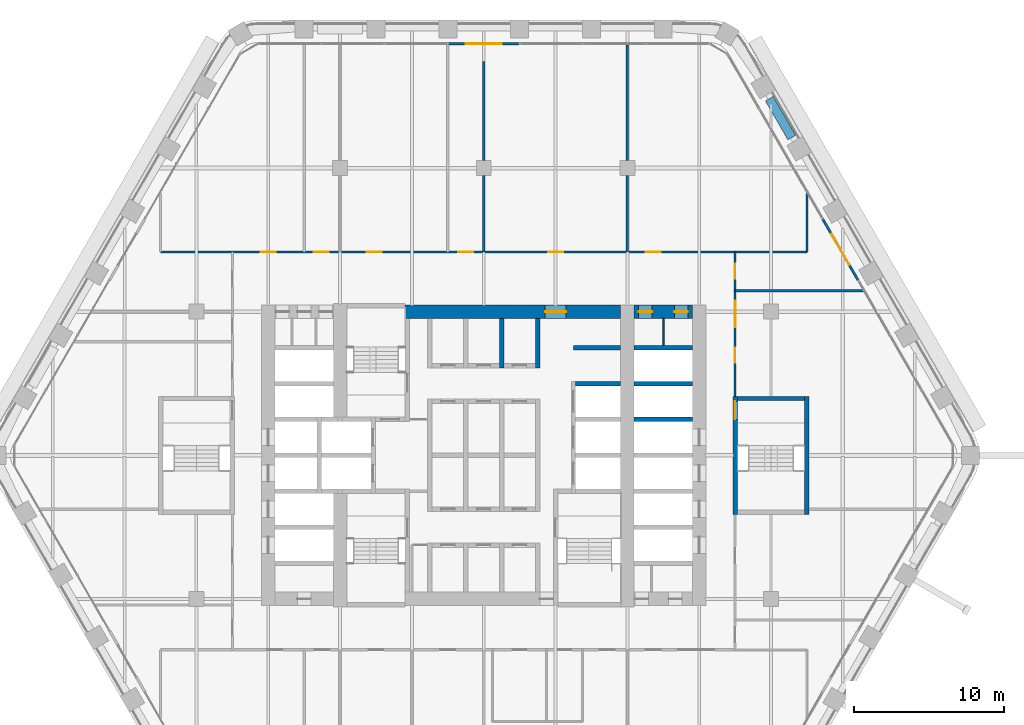
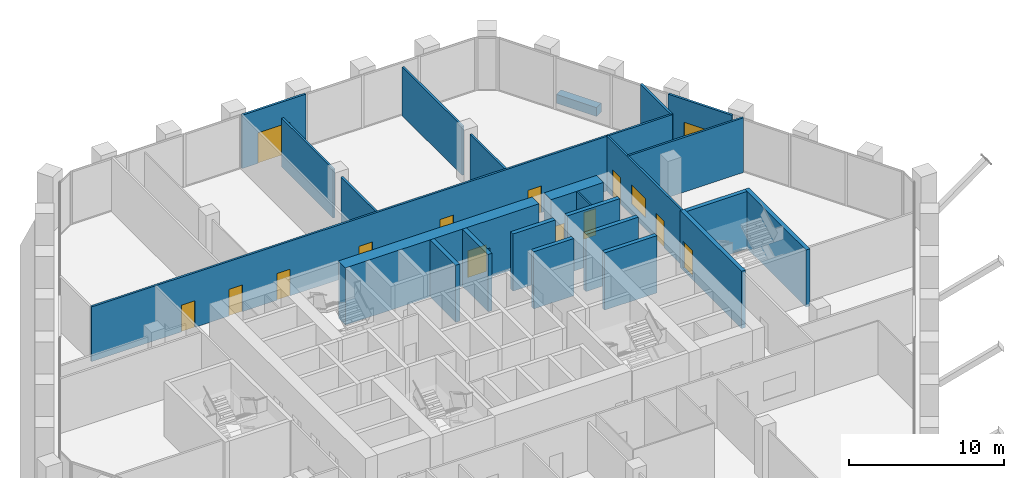
# One storey, part 17 of 24: 24 walls, 14 doors, 1 window, 15 openings.
"""IFC4 building model written with IfcOpenShell, lengths in metres."""

from ifc_helpers import new_model, si_unit, direction, frame, frame_2d, origin, place, context, subcontext, project, spatial, rectangle, extrude, material, layer, layer_set, type_object, element, fill, save


model = new_model("IFC4")

# Units and contexts
model_context = context("Model", 3, precision=1e-05, world=origin(), true_north=direction((0.0, 1.0)))
body_context = subcontext(model_context, "Body", "Model", "MODEL_VIEW")
ifc_project = project(units=[si_unit("LENGTHUNIT", "METRE"), si_unit("AREAUNIT", "SQUARE_METRE"), si_unit("VOLUMEUNIT", "CUBIC_METRE"), si_unit("PLANEANGLEUNIT", "RADIAN"), si_unit("MASSUNIT", "GRAM", prefix="KILO")], contexts=[model_context])

# Site, building, storey
site_placement = place(None, origin())
site = spatial("IfcSite", under=ifc_project, at=site_placement, CompositionType="ELEMENT")
building_placement = place(site_placement, origin())
building = spatial("IfcBuilding", under=site, at=building_placement, Name="Kolab Exchange Tower", CompositionType="ELEMENT")
storey_placement = place(building_placement, frame((0.0, 0.0, 86.89990234375)))
storey = spatial("IfcBuildingStorey", under=building, at=storey_placement, Name="L16", CompositionType="ELEMENT", Elevation=86.89990234375)

# Wall, opening, door
ifc_material_1 = material(Name="Concrete C70/85", Category="concrete")
ifc_layer_1 = layer(ifc_material_1, 0.89990234375)
ifc_layer_set_1 = layer_set([ifc_layer_1], Name="Concrete C70/85")
wall_type_1 = type_object("IfcWallType", Name="CORE WALL 900 C70/85", PredefinedType="SHEAR", material=ifc_layer_set_1)
wall_1_placement = place(storey_placement, frame((-5.25, 9.60009765625, -0.199951171875), z_axis=(0.0, 0.0, 1.0), x_axis=(1.0, 0.0, 0.0)))
wall_1 = element("IfcWall", 1, at=wall_1_placement, inside=storey, type_object=wall_type_1, Name="wall/L16/core/052", PredefinedType="SHEAR", context=body_context, shape_type="SweptSolid", body=[
    extrude(rectangle(XDim=14.39990234375, YDim=0.89990234375, at=frame_2d((7.199951171875, 0.0))), origin(), (0.0, 0.0, 1.0), 4.5),
])
opening_1_placement = place(wall_1_placement, frame((9.35009765625, 0.0, 0.199951171875)))
opening_1 = element("IfcOpeningElement", 2, at=opening_1_placement, cuts=wall_1, Name="Opening D5-008", PredefinedType="OPENING", context=body_context, shape_type="SweptSolid", body=[
    extrude(rectangle(XDim=1.39990234375, YDim=2.10009765625, at=frame_2d((0.699951171875, 1.050048828125))), frame((0.0, 0.4599609375, 0.0), z_axis=(0.0, -1.0, 0.0), x_axis=(1.0, 0.0, 0.0)), (0.0, 0.0, 1.0), 0.919921875),
])
ifc_material_2 = material(Name="Steel S235", Category="steel")
door_type_1 = type_object("IfcDoorType", Name="CORE DOOR 1400 EI 120", OperationType="DOUBLE_DOOR_SINGLE_SWING", PredefinedType="DOOR", material=ifc_material_2)
door_1_placement = place(opening_1_placement, frame((1.39990234375, 0.0, 0.0), z_axis=(0.0, 0.0, 1.0), x_axis=(-1.0, 0.0, 0.0)))
door_1 = element("IfcDoor", 3, at=door_1_placement, inside=storey, type_object=door_type_1, Name="Core lobby door", OperationType="SINGLE_SWING_LEFT", OverallHeight=2.10009765625, OverallWidth=1.39990234375, PredefinedType="DOOR", context=body_context, shape_type="SweptSolid", body=[
    extrude(rectangle(XDim=1.39990234375, YDim=2.10009765625, at=frame_2d((0.699951171875, 1.050048828125))), frame((0.0, 0.02490234375, 0.0), z_axis=(0.0, -1.0, 0.0), x_axis=(1.0, 0.0, 0.0)), (0.0, 0.0, 1.0), 0.050048828125),
])
fill(opening_1, door_1)

# Wall, openings, doors
wall_2_placement = place(storey_placement, frame((10.050048828125, 9.60009765625, -0.199951171875), z_axis=(0.0, 0.0, 1.0), x_axis=(1.0, 0.0, 0.0)))
wall_2 = element("IfcWall", 4, at=wall_2_placement, inside=storey, type_object=wall_type_1, Name="wall/L16/core/053", PredefinedType="SHEAR", context=body_context, shape_type="SweptSolid", body=[
    extrude(rectangle(XDim=3.89990234375, YDim=0.89990234375, at=frame_2d((1.949951171875, 0.0))), origin(), (0.0, 0.0, 1.0), 4.5),
])
opening_2_placement = place(wall_2_placement, frame((0.300048828125, 0.0, 0.199951171875)))
opening_2 = element("IfcOpeningElement", 5, at=opening_2_placement, cuts=wall_2, Name="Opening D6-222", PredefinedType="OPENING", context=body_context, shape_type="SweptSolid", body=[
    extrude(rectangle(XDim=0.89990234375, YDim=2.10009765625, at=frame_2d((0.449951171875, 1.050048828125))), frame((0.0, 0.4599609375, 0.0), z_axis=(0.0, -1.0, 0.0), x_axis=(1.0, 0.0, 0.0)), (0.0, 0.0, 1.0), 0.919921875),
])
opening_3_placement = place(wall_2_placement, frame((2.699951171875, 0.0, 0.199951171875)))
opening_3 = element("IfcOpeningElement", 6, at=opening_3_placement, cuts=wall_2, Name="Opening D6-223", PredefinedType="OPENING", context=body_context, shape_type="SweptSolid", body=[
    extrude(rectangle(XDim=0.89990234375, YDim=2.10009765625, at=frame_2d((0.449951171875, 1.050048828125))), frame((0.0, 0.4599609375, 0.0), z_axis=(0.0, -1.0, 0.0), x_axis=(1.0, 0.0, 0.0)), (0.0, 0.0, 1.0), 0.919921875),
])
door_type_2 = type_object("IfcDoorType", Name="CORE DOOR 900 EI 120", OperationType="SINGLE_SWING_LEFT", PredefinedType="DOOR", material=ifc_material_2)
door_2_placement = place(opening_2_placement, frame((0.89990234375, 0.0, 0.0), z_axis=(0.0, 0.0, 1.0), x_axis=(-1.0, 0.0, 0.0)))
door_2 = element("IfcDoor", 7, at=door_2_placement, inside=storey, type_object=door_type_2, Name="Service room door", OperationType="SINGLE_SWING_RIGHT", OverallHeight=2.10009765625, OverallWidth=0.89990234375, PredefinedType="DOOR", context=body_context, shape_type="SweptSolid", body=[
    extrude(rectangle(XDim=0.89990234375, YDim=2.10009765625, at=frame_2d((0.449951171875, 1.050048828125))), frame((0.0, 0.02490234375, 0.0), z_axis=(0.0, -1.0, 0.0), x_axis=(1.0, 0.0, 0.0)), (0.0, 0.0, 1.0), 0.050048828125),
])
fill(opening_2, door_2)
door_3_placement = place(opening_3_placement, frame((0.89990234375, 0.0, 0.0), z_axis=(0.0, 0.0, 1.0), x_axis=(-1.0, 0.0, 0.0)))
door_3 = element("IfcDoor", 8, at=door_3_placement, inside=storey, type_object=door_type_2, Name="Service room door", OperationType="SINGLE_SWING_RIGHT", OverallHeight=2.10009765625, OverallWidth=0.89990234375, PredefinedType="DOOR", context=body_context, shape_type="SweptSolid", body=[
    extrude(rectangle(XDim=0.89990234375, YDim=2.10009765625, at=frame_2d((0.449951171875, 1.050048828125))), frame((0.0, 0.02490234375, 0.0), z_axis=(0.0, -1.0, 0.0), x_axis=(1.0, 0.0, 0.0)), (0.0, 0.0, 1.0), 0.050048828125),
])
fill(opening_3, door_3)

# Wall, opening, door
ifc_material_3 = material(Name="Aluminium EN AW-6063 T6", Category="aluminium")
ifc_layer_2 = layer(ifc_material_3, 0.159912109375)
ifc_layer_set_2 = layer_set([ifc_layer_2], Name="Aluminium EN AW-6063 T6")
wall_type_2 = type_object("IfcWallType", Name="DOOR SURROUND WALL 160 ALUMINIUM FRAMED", PredefinedType="PARTITIONING", material=ifc_layer_set_2)
wall_3_placement = place(storey_placement, frame((-2.3701171875, 27.5185546875, 0.0), z_axis=(0.0, 0.0, 1.0), x_axis=(1.0, 0.0, 0.0)))
wall_3 = element("IfcWall", 9, at=wall_3_placement, inside=storey, type_object=wall_type_2, Name="Door surround wall", PredefinedType="PARTITIONING", context=body_context, shape_type="SweptSolid", body=[
    extrude(rectangle(XDim=4.740234375, YDim=0.159912109375, at=frame_2d((2.3701171875, 0.0))), origin(), (0.0, 0.0, 1.0), 4.2001953125),
])
opening_4_placement = place(wall_3_placement, frame((1.169921875, 0.0, 0.0)))
opening_4 = element("IfcOpeningElement", 10, at=opening_4_placement, cuts=wall_3, Name="Opening GD1-043", PredefinedType="OPENING", context=body_context, shape_type="SweptSolid", body=[
    extrude(rectangle(XDim=2.39990234375, YDim=2.39990234375, at=frame_2d((1.199951171875, 1.199951171875))), frame((0.0, 0.08984375, 0.0), z_axis=(0.0, -1.0, 0.0), x_axis=(1.0, 0.0, 0.0)), (0.0, 0.0, 1.0), 0.179931640625),
])
door_type_3 = type_object("IfcDoorType", Name="LOGGIA SLIDING GLASS DOOR 2400 X 2400", OperationType="DOUBLE_DOOR_SINGLE_SWING", PredefinedType="DOOR", material=ifc_material_3)
door_4_placement = place(opening_4_placement, origin())
door_4 = element("IfcDoor", 11, at=door_4_placement, inside=storey, type_object=door_type_3, Name="Loggia door", OperationType="DOUBLE_DOOR_SLIDING", OverallHeight=2.39990234375, OverallWidth=2.39990234375, PredefinedType="DOOR", context=body_context, shape_type="SweptSolid", body=[
    extrude(rectangle(XDim=2.39990234375, YDim=2.39990234375, at=frame_2d((1.199951171875, 1.199951171875))), frame((0.0, 0.02490234375, 0.0), z_axis=(0.0, -1.0, 0.0), x_axis=(1.0, 0.0, 0.0)), (0.0, 0.0, 1.0), 0.050048828125),
])
fill(opening_4, door_4)

wall_4_placement = place(storey_placement, frame((22.646728515625, 15.811767578125, 0.0), z_axis=(0.0, 0.0, 1.0), x_axis=(0.499978080042, -0.866038058908, 0.0)))
wall_4 = element("IfcWall", 12, at=wall_4_placement, inside=storey, type_object=wall_type_2, Name="Door surround wall", PredefinedType="PARTITIONING", context=body_context, shape_type="SweptSolid", body=[
    extrude(rectangle(XDim=4.739990234375, YDim=0.159912109375, at=frame_2d((2.3701171875, 0.0))), origin(), (0.0, 0.0, 1.0), 4.2001953125),
])
opening_5_placement = place(wall_4_placement, frame((1.169921875, 0.0, 0.0)))
opening_5 = element("IfcOpeningElement", 13, at=opening_5_placement, cuts=wall_4, Name="Opening GD1-044", PredefinedType="OPENING", context=body_context, shape_type="SweptSolid", body=[
    extrude(rectangle(XDim=2.39990234375, YDim=2.39990234375, at=frame_2d((1.199951171875, 1.199951171875))), frame((0.0, 0.08984375, 0.0), z_axis=(0.0, -1.0, 0.0), x_axis=(1.0, 0.0, 0.0)), (0.0, 0.0, 1.0), 0.179931640625),
])
door_5_placement = place(opening_5_placement, origin())
door_5 = element("IfcDoor", 14, at=door_5_placement, inside=storey, type_object=door_type_3, Name="Loggia door", OperationType="DOUBLE_DOOR_SLIDING", OverallHeight=2.39990234375, OverallWidth=2.39990234375, PredefinedType="DOOR", context=body_context, shape_type="SweptSolid", body=[
    extrude(rectangle(XDim=2.39990234375, YDim=2.39990234375, at=frame_2d((1.199951171875, 1.199951171875))), frame((0.0, 0.02490234375, 0.0), z_axis=(0.0, -1.0, 0.0), x_axis=(1.0, 0.0, 0.0)), (0.0, 0.0, 1.0), 0.050048828125),
])
fill(opening_5, door_5)

# Walls
ifc_material_4 = material(Name="Concrete C50/60", Category="concrete")
ifc_layer_3 = layer(ifc_material_4, 0.300048828125)
ifc_layer_set_3 = layer_set([ifc_layer_3], Name="Concrete C50/60")
wall_type_3 = type_object("IfcWallType", Name="LIFT SHAFT WALL 300 C50/60", PredefinedType="STANDARD", material=ifc_layer_set_3)
wall_5_placement = place(storey_placement, frame((10.050048828125, 2.39990234375, -0.199951171875), z_axis=(0.0, 0.0, 1.0), x_axis=(1.0, 0.0, 0.0)))
element("IfcWall", 15, at=wall_5_placement, inside=storey, type_object=wall_type_3, Name="wall/L16/core/036", PredefinedType="STANDARD", context=body_context, shape_type="SweptSolid", body=[
    extrude(rectangle(XDim=3.89990234375, YDim=0.300048828125, at=frame_2d((1.949951171875, 0.0))), origin(), (0.0, 0.0, 1.0), 4.5),
])
wall_6_placement = place(storey_placement, frame((6.14990234375, 4.800048828125, -0.199951171875), z_axis=(0.0, 0.0, 1.0), x_axis=(1.0, 0.0, 0.0)))
element("IfcWall", 16, at=wall_6_placement, inside=storey, type_object=wall_type_3, Name="wall/L16/core/043", PredefinedType="STANDARD", context=body_context, shape_type="SweptSolid", body=[
    extrude(rectangle(XDim=3.0, YDim=0.300048828125, at=frame_2d((1.5, 0.0))), origin(), (0.0, 0.0, 1.0), 4.5),
])
wall_7_placement = place(storey_placement, frame((10.050048828125, 4.800048828125, -0.199951171875), z_axis=(0.0, 0.0, 1.0), x_axis=(1.0, 0.0, 0.0)))
element("IfcWall", 17, at=wall_7_placement, inside=storey, type_object=wall_type_3, Name="wall/L16/core/044", PredefinedType="STANDARD", context=body_context, shape_type="SweptSolid", body=[
    extrude(rectangle(XDim=3.89990234375, YDim=0.300048828125, at=frame_2d((1.949951171875, 0.0))), origin(), (0.0, 0.0, 1.0), 4.5),
])
wall_8_placement = place(storey_placement, frame((6.0, 7.199951171875, -0.199951171875), z_axis=(0.0, 0.0, 1.0), x_axis=(1.0, 0.0, 0.0)))
element("IfcWall", 18, at=wall_8_placement, inside=storey, type_object=wall_type_3, Name="wall/L16/core/049", PredefinedType="STANDARD", context=body_context, shape_type="SweptSolid", body=[
    extrude(rectangle(XDim=3.14990234375, YDim=0.300048828125, at=frame_2d((1.574951171875, 0.0))), origin(), (0.0, 0.0, 1.0), 4.5),
])
wall_9_placement = place(storey_placement, frame((10.050048828125, 7.199951171875, -0.199951171875), z_axis=(0.0, 0.0, 1.0), x_axis=(1.0, 0.0, 0.0)))
element("IfcWall", 19, at=wall_9_placement, inside=storey, type_object=wall_type_3, Name="wall/L16/core/050", PredefinedType="STANDARD", context=body_context, shape_type="SweptSolid", body=[
    extrude(rectangle(XDim=3.89990234375, YDim=0.300048828125, at=frame_2d((1.949951171875, 0.0))), origin(), (0.0, 0.0, 1.0), 4.5),
])
for number, where, z_axis, x_axis, name in (
    (20, (1.199951171875, 5.85009765625, -0.199951171875), (0.0, 0.0, 1.0), (0.0, 1.0, 0.0), "wall/L16/core/074"),
    (21, (3.60009765625, 5.85009765625, -0.199951171875), (0.0, 0.0, 1.0), (0.0, 1.0, 0.0), "wall/L16/core/077"),
):
    element("IfcWall", number, at=place(storey_placement, frame(where, z_axis=z_axis, x_axis=x_axis)), inside=storey, type_object=wall_type_3, Name=name, PredefinedType="STANDARD", context=body_context, shape_type="SweptSolid", body=[
        extrude(rectangle(XDim=3.2998046875, YDim=0.300048828125, at=frame_2d((1.64990234375, 0.0))), origin(), (0.0, 0.0, 1.0), 4.5),
    ])
ifc_material_5 = material(Name="Gypsum board", Category="gypsum")
ifc_layer_4 = layer(ifc_material_5, 0.10009765625)
ifc_layer_set_4 = layer_set([ifc_layer_4], Name="Gypsum board")
wall_type_4 = type_object("IfcWallType", Name="PARTITION 100", PredefinedType="PARTITIONING", material=ifc_layer_set_4)
wall_10_placement = place(storey_placement, frame((12.0, 7.35009765625, 0.0), z_axis=(0.0, 0.0, 1.0), x_axis=(0.0, 1.0, 0.0)))
element("IfcWall", 22, at=wall_10_placement, inside=storey, type_object=wall_type_4, Name="Partition 004", PredefinedType="PARTITIONING", context=body_context, shape_type="SweptSolid", body=[
    extrude(rectangle(XDim=1.7998046875, YDim=0.10009765625, at=frame_2d((0.89990234375, 0.0))), origin(), (0.0, 0.0, 1.0), 4.300048828125),
])
ifc_layer_5 = layer(ifc_material_5, 0.14990234375)
ifc_layer_set_5 = layer_set([ifc_layer_5], Name="Gypsum board")
wall_type_5 = type_object("IfcWallType", Name="PARTITION 150 FIRE-RATED", PredefinedType="PARTITIONING", material=ifc_layer_set_5)
wall_11_placement = place(storey_placement, frame((21.60009765625, 13.60009765625, 0.0), z_axis=(0.0, 0.0, 1.0), x_axis=(0.0, 1.0, 0.0)))
element("IfcWall", 23, at=wall_11_placement, inside=storey, type_object=wall_type_5, Name="Partition 001", PredefinedType="PARTITIONING", context=body_context, shape_type="SweptSolid", body=[
    extrude(rectangle(XDim=3.944580078125, YDim=0.14990234375, at=frame_2d((1.97216796875, 0.0))), origin(), (0.0, 0.0, 1.0), 4.300048828125),
])

# Wall, openings, doors, window
wall_12_placement = place(storey_placement, frame((16.800048828125, 3.949951171875, 0.0), z_axis=(0.0, 0.0, 1.0), x_axis=(0.0, 1.0, 0.0)))
wall_12 = element("IfcWall", 24, at=wall_12_placement, inside=storey, type_object=wall_type_5, Name="Partition 003", PredefinedType="PARTITIONING", context=body_context, shape_type="SweptSolid", body=[
    extrude(rectangle(XDim=9.650146484375, YDim=0.14990234375, at=frame_2d((4.8251953125, 0.0))), origin(), (0.0, 0.0, 1.0), 4.300048828125),
])
opening_6_placement = place(wall_12_placement, frame((2.25, 0.0, 0.0)))
opening_6 = element("IfcOpeningElement", 25, at=opening_6_placement, cuts=wall_12, Name="Opening D1-214", PredefinedType="OPENING", context=body_context, shape_type="SweptSolid", body=[
    extrude(rectangle(XDim=1.0, YDim=2.10009765625, at=frame_2d((0.5, 1.050048828125))), frame((0.0, 0.0849609375, 0.0), z_axis=(0.0, -1.0, 0.0), x_axis=(1.0, 0.0, 0.0)), (0.0, 0.0, 1.0), 0.169921875),
])
opening_7_placement = place(wall_12_placement, frame((7.85009765625, 0.0, 0.0)))
opening_7 = element("IfcOpeningElement", 26, at=opening_7_placement, cuts=wall_12, Name="Opening D1-215", PredefinedType="OPENING", context=body_context, shape_type="SweptSolid", body=[
    extrude(rectangle(XDim=1.0, YDim=2.10009765625, at=frame_2d((0.5, 1.050048828125))), frame((0.0, 0.0849609375, 0.0), z_axis=(0.0, -1.0, 0.0), x_axis=(1.0, 0.0, 0.0)), (0.0, 0.0, 1.0), 0.169921875),
])
opening_8_placement = place(wall_12_placement, frame((4.60009765625, 0.0, 0.89990234375)))
opening_8 = element("IfcOpeningElement", 27, at=opening_8_placement, cuts=wall_12, Name="Opening W1-007", PredefinedType="OPENING", context=body_context, shape_type="SweptSolid", body=[
    extrude(rectangle(XDim=1.800048828125, YDim=1.5, at=frame_2d((0.89990234375, 0.75))), frame((0.0, 0.0849609375, 0.0), z_axis=(0.0, -1.0, 0.0), x_axis=(1.0, 0.0, 0.0)), (0.0, 0.0, 1.0), 0.169921875),
])
door_type_4 = type_object("IfcDoorType", Name="FLUSH DOOR 1000 FD60", OperationType="SINGLE_SWING_LEFT", PredefinedType="DOOR", material=ifc_material_2)
door_6_placement = place(opening_6_placement, frame((1.0, 0.0, 0.0), z_axis=(0.0, 0.0, 1.0), x_axis=(-1.0, 0.0, 0.0)))
door_6 = element("IfcDoor", 28, at=door_6_placement, inside=storey, type_object=door_type_4, Name="Door L16-062", OperationType="SINGLE_SWING_LEFT", OverallHeight=2.10009765625, OverallWidth=1.0, PredefinedType="DOOR", context=body_context, shape_type="SweptSolid", body=[
    extrude(rectangle(XDim=1.0, YDim=2.10009765625, at=frame_2d((0.5, 1.050048828125))), frame((0.0, 0.02490234375, 0.0), z_axis=(0.0, -1.0, 0.0), x_axis=(1.0, 0.0, 0.0)), (0.0, 0.0, 1.0), 0.050048828125),
])
fill(opening_6, door_6)
door_7_placement = place(opening_7_placement, frame((1.0, 0.0, 0.0), z_axis=(0.0, 0.0, 1.0), x_axis=(-1.0, 0.0, 0.0)))
door_7 = element("IfcDoor", 29, at=door_7_placement, inside=storey, type_object=door_type_4, Name="Door L16-063", OperationType="SINGLE_SWING_RIGHT", OverallHeight=2.10009765625, OverallWidth=1.0, PredefinedType="DOOR", context=body_context, shape_type="SweptSolid", body=[
    extrude(rectangle(XDim=1.0, YDim=2.10009765625, at=frame_2d((0.5, 1.050048828125))), frame((0.0, 0.02490234375, 0.0), z_axis=(0.0, -1.0, 0.0), x_axis=(1.0, 0.0, 0.0)), (0.0, 0.0, 1.0), 0.050048828125),
])
fill(opening_7, door_7)
ifc_material_6 = material(Name="Fire-rated glazing", Category="glass")
window_type = type_object("IfcWindowType", Name="OBSERVATION WINDOW 1800 X 1500 EI 60", PartitioningType="SINGLE_PANEL", PredefinedType="WINDOW", material=ifc_material_6)
window_placement = place(opening_8_placement, origin())
window = element("IfcWindow", 30, at=window_placement, inside=storey, type_object=window_type, Name="Viewing window L16-1", OverallHeight=1.5, OverallWidth=1.800048828125, PartitioningType="SINGLE_PANEL", PredefinedType="WINDOW", context=body_context, shape_type="SweptSolid", body=[
    extrude(rectangle(XDim=1.800048828125, YDim=1.5, at=frame_2d((0.89990234375, 0.75))), frame((0.0, 0.030029296875, 0.0), z_axis=(0.0, -1.0, 0.0), x_axis=(1.0, 0.0, 0.0)), (0.0, 0.0, 1.0), 0.06005859375),
])
fill(opening_8, window)

# Walls
wall_13_placement = place(storey_placement, frame((9.60009765625, 13.60009765625, 0.0), z_axis=(0.0, 0.0, 1.0), x_axis=(0.0, 1.0, 0.0)))
element("IfcWall", 31, at=wall_13_placement, inside=storey, type_object=wall_type_5, Name="Partition 008", PredefinedType="PARTITIONING", context=body_context, shape_type="SweptSolid", body=[
    extrude(rectangle(XDim=5.099853515625, YDim=0.14990234375, at=frame_2d((2.5498046875, 0.0))), origin(), (0.0, 0.0, 1.0), 3.843017578125),
])
wall_14_placement = place(storey_placement, frame((9.60009765625, 19.699951171875, 0.0), z_axis=(0.0, 0.0, 1.0), x_axis=(0.0, 1.0, 0.0)))
element("IfcWall", 32, at=wall_14_placement, inside=storey, type_object=wall_type_5, Name="Partition 009", PredefinedType="PARTITIONING", context=body_context, shape_type="SweptSolid", body=[
    extrude(rectangle(XDim=7.728515625, YDim=0.14990234375, at=frame_2d((3.8642578125, 0.0))), origin(), (0.0, 0.0, 1.0), 3.843017578125),
])
wall_15_placement = place(storey_placement, frame((0.0, 13.60009765625, 0.0), z_axis=(0.0, 0.0, 1.0), x_axis=(0.0, 1.0, 0.0)))
element("IfcWall", 33, at=wall_15_placement, inside=storey, type_object=wall_type_5, Name="Partition 015", PredefinedType="PARTITIONING", context=body_context, shape_type="SweptSolid", body=[
    extrude(rectangle(XDim=5.099853515625, YDim=0.14990234375, at=frame_2d((2.5498046875, 0.0))), origin(), (0.0, 0.0, 1.0), 3.843017578125),
])
wall_16_placement = place(storey_placement, frame((0.0, 19.699951171875, 0.0), z_axis=(0.0, 0.0, 1.0), x_axis=(0.0, 1.0, 0.0)))
element("IfcWall", 34, at=wall_16_placement, inside=storey, type_object=wall_type_5, Name="Partition 016", PredefinedType="PARTITIONING", context=body_context, shape_type="SweptSolid", body=[
    extrude(rectangle(XDim=6.61865234375, YDim=0.14990234375, at=frame_2d((3.309326171875, 0.0))), origin(), (0.0, 0.0, 1.0), 3.843017578125),
])
wall_17_placement = place(storey_placement, frame((16.800048828125, 11.0, 0.0), z_axis=(0.0, 0.0, 1.0), x_axis=(1.0, 0.0, 0.0)))
element("IfcWall", 35, at=wall_17_placement, inside=storey, type_object=wall_type_5, Name="Partition 044", PredefinedType="PARTITIONING", context=body_context, shape_type="SweptSolid", body=[
    extrude(rectangle(XDim=8.578369140625, YDim=0.14990234375, at=frame_2d((4.2890625, 0.0))), origin(), (0.0, 0.0, 1.0), 4.300048828125),
])

# Wall, openings, doors
wall_18_placement = place(storey_placement, frame((-21.60009765625, 13.60009765625, 0.0), z_axis=(0.0, 0.0, 1.0), x_axis=(1.0, 0.0, 0.0)))
wall_18 = element("IfcWall", 36, at=wall_18_placement, inside=storey, type_object=wall_type_5, Name="Partition 045", PredefinedType="PARTITIONING", context=body_context, shape_type="SweptSolid", body=[
    extrude(rectangle(XDim=43.2001953125, YDim=0.14990234375, at=frame_2d((21.60009765625, 0.0))), origin(), (0.0, 0.0, 1.0), 4.300048828125),
])
opening_9_placement = place(wall_18_placement, frame((6.699951171875, 0.0, 0.0)))
opening_9 = element("IfcOpeningElement", 37, at=opening_9_placement, cuts=wall_18, Name="Opening D1-200", PredefinedType="OPENING", context=body_context, shape_type="SweptSolid", body=[
    extrude(rectangle(XDim=1.0, YDim=2.10009765625, at=frame_2d((0.5, 1.050048828125))), frame((0.0, 0.0849609375, 0.0), z_axis=(0.0, -1.0, 0.0), x_axis=(1.0, 0.0, 0.0)), (0.0, 0.0, 1.0), 0.169921875),
])
opening_10_placement = place(wall_18_placement, frame((10.22509765625, 0.0, 0.0)))
opening_10 = element("IfcOpeningElement", 38, at=opening_10_placement, cuts=wall_18, Name="Opening D1-221", PredefinedType="OPENING", context=body_context, shape_type="SweptSolid", body=[
    extrude(rectangle(XDim=1.0, YDim=2.10009765625, at=frame_2d((0.5, 1.050048828125))), frame((0.0, 0.0849609375, 0.0), z_axis=(0.0, -1.0, 0.0), x_axis=(1.0, 0.0, 0.0)), (0.0, 0.0, 1.0), 0.169921875),
])
opening_11_placement = place(wall_18_placement, frame((13.77490234375, 0.0, 0.0)))
opening_11 = element("IfcOpeningElement", 39, at=opening_11_placement, cuts=wall_18, Name="Opening D1-222", PredefinedType="OPENING", context=body_context, shape_type="SweptSolid", body=[
    extrude(rectangle(XDim=1.0, YDim=2.10009765625, at=frame_2d((0.5, 1.050048828125))), frame((0.0, 0.0849609375, 0.0), z_axis=(0.0, -1.0, 0.0), x_axis=(1.0, 0.0, 0.0)), (0.0, 0.0, 1.0), 0.169921875),
])
opening_12_placement = place(wall_18_placement, frame((19.89990234375, 0.0, 0.0)))
opening_12 = element("IfcOpeningElement", 40, at=opening_12_placement, cuts=wall_18, Name="Opening D1-203", PredefinedType="OPENING", context=body_context, shape_type="SweptSolid", body=[
    extrude(rectangle(XDim=1.0, YDim=2.10009765625, at=frame_2d((0.5, 1.050048828125))), frame((0.0, 0.0849609375, 0.0), z_axis=(0.0, -1.0, 0.0), x_axis=(1.0, 0.0, 0.0)), (0.0, 0.0, 1.0), 0.169921875),
])
opening_13_placement = place(wall_18_placement, frame((25.89990234375, 0.0, 0.0)))
opening_13 = element("IfcOpeningElement", 41, at=opening_13_placement, cuts=wall_18, Name="Opening D1-204", PredefinedType="OPENING", context=body_context, shape_type="SweptSolid", body=[
    extrude(rectangle(XDim=1.0, YDim=2.10009765625, at=frame_2d((0.5, 1.050048828125))), frame((0.0, 0.0849609375, 0.0), z_axis=(0.0, -1.0, 0.0), x_axis=(1.0, 0.0, 0.0)), (0.0, 0.0, 1.0), 0.169921875),
])
opening_14_placement = place(wall_18_placement, frame((32.445068359375, 0.0, 0.0)))
opening_14 = element("IfcOpeningElement", 42, at=opening_14_placement, cuts=wall_18, Name="Opening D1-223", PredefinedType="OPENING", context=body_context, shape_type="SweptSolid", body=[
    extrude(rectangle(XDim=1.0, YDim=2.10009765625, at=frame_2d((0.5, 1.050048828125))), frame((0.0, 0.0849609375, 0.0), z_axis=(0.0, -1.0, 0.0), x_axis=(1.0, 0.0, 0.0)), (0.0, 0.0, 1.0), 0.169921875),
])
door_8_placement = place(opening_9_placement, origin())
door_8 = element("IfcDoor", 43, at=door_8_placement, inside=storey, type_object=door_type_4, Name="Door L16-048", OperationType="SINGLE_SWING_RIGHT", OverallHeight=2.10009765625, OverallWidth=1.0, PredefinedType="DOOR", context=body_context, shape_type="SweptSolid", body=[
    extrude(rectangle(XDim=1.0, YDim=2.10009765625, at=frame_2d((0.5, 1.050048828125))), frame((0.0, 0.02490234375, 0.0), z_axis=(0.0, -1.0, 0.0), x_axis=(1.0, 0.0, 0.0)), (0.0, 0.0, 1.0), 0.050048828125),
])
fill(opening_9, door_8)
door_9_placement = place(opening_10_placement, origin())
door_9 = element("IfcDoor", 44, at=door_9_placement, inside=storey, type_object=door_type_4, Name="Door L16-049", OperationType="SINGLE_SWING_LEFT", OverallHeight=2.10009765625, OverallWidth=1.0, PredefinedType="DOOR", context=body_context, shape_type="SweptSolid", body=[
    extrude(rectangle(XDim=1.0, YDim=2.10009765625, at=frame_2d((0.5, 1.050048828125))), frame((0.0, 0.02490234375, 0.0), z_axis=(0.0, -1.0, 0.0), x_axis=(1.0, 0.0, 0.0)), (0.0, 0.0, 1.0), 0.050048828125),
])
fill(opening_10, door_9)
door_10_placement = place(opening_11_placement, origin())
door_10 = element("IfcDoor", 45, at=door_10_placement, inside=storey, type_object=door_type_4, Name="Door L16-050", OperationType="SINGLE_SWING_LEFT", OverallHeight=2.10009765625, OverallWidth=1.0, PredefinedType="DOOR", context=body_context, shape_type="SweptSolid", body=[
    extrude(rectangle(XDim=1.0, YDim=2.10009765625, at=frame_2d((0.5, 1.050048828125))), frame((0.0, 0.02490234375, 0.0), z_axis=(0.0, -1.0, 0.0), x_axis=(1.0, 0.0, 0.0)), (0.0, 0.0, 1.0), 0.050048828125),
])
fill(opening_11, door_10)
door_11_placement = place(opening_12_placement, origin())
door_11 = element("IfcDoor", 46, at=door_11_placement, inside=storey, type_object=door_type_4, Name="Door L16-051", OperationType="SINGLE_SWING_LEFT", OverallHeight=2.10009765625, OverallWidth=1.0, PredefinedType="DOOR", context=body_context, shape_type="SweptSolid", body=[
    extrude(rectangle(XDim=1.0, YDim=2.10009765625, at=frame_2d((0.5, 1.050048828125))), frame((0.0, 0.02490234375, 0.0), z_axis=(0.0, -1.0, 0.0), x_axis=(1.0, 0.0, 0.0)), (0.0, 0.0, 1.0), 0.050048828125),
])
fill(opening_12, door_11)
door_12_placement = place(opening_13_placement, origin())
door_12 = element("IfcDoor", 47, at=door_12_placement, inside=storey, type_object=door_type_4, Name="Door L16-052", OperationType="SINGLE_SWING_LEFT", OverallHeight=2.10009765625, OverallWidth=1.0, PredefinedType="DOOR", context=body_context, shape_type="SweptSolid", body=[
    extrude(rectangle(XDim=1.0, YDim=2.10009765625, at=frame_2d((0.5, 1.050048828125))), frame((0.0, 0.02490234375, 0.0), z_axis=(0.0, -1.0, 0.0), x_axis=(1.0, 0.0, 0.0)), (0.0, 0.0, 1.0), 0.050048828125),
])
fill(opening_13, door_12)
door_13_placement = place(opening_14_placement, origin())
door_13 = element("IfcDoor", 48, at=door_13_placement, inside=storey, type_object=door_type_4, Name="Door L16-053", OperationType="SINGLE_SWING_LEFT", OverallHeight=2.10009765625, OverallWidth=1.0, PredefinedType="DOOR", context=body_context, shape_type="SweptSolid", body=[
    extrude(rectangle(XDim=1.0, YDim=2.10009765625, at=frame_2d((0.5, 1.050048828125))), frame((0.0, 0.02490234375, 0.0), z_axis=(0.0, -1.0, 0.0), x_axis=(1.0, 0.0, 0.0)), (0.0, 0.0, 1.0), 0.050048828125),
])
fill(opening_14, door_13)

# Walls
ifc_material_7 = material(Name="Granite facing", Category="masonry")
ifc_layer_6 = layer(ifc_material_7, 0.0400390625)
ifc_material_8 = material(Name="Concrete C40/50 precast", Category="concrete")
ifc_layer_7 = layer(ifc_material_8, 0.56005859375)
ifc_layer_set_6 = layer_set([ifc_layer_6, ifc_layer_7], Name="Concrete C40/50 precast")
wall_type_6 = type_object("IfcWallType", Name="PLANTER BOX 600 X 700 SOIL DEPTH 550", PredefinedType="USERDEFINED", material=ifc_layer_set_6)
wall_19_placement = place(storey_placement, frame((19.087158203125, 23.837158203125, 0.0), z_axis=(0.0, 0.0, 1.0), x_axis=(0.499990139034, -0.866031096941, 0.0)))
element("IfcWall", 49, at=wall_19_placement, inside=storey, type_object=wall_type_6, Name="Planter", ObjectType="PLANTER", PredefinedType="USERDEFINED", context=body_context, shape_type="SweptSolid", body=[
    extrude(rectangle(XDim=3.0, YDim=0.60009765625, at=frame_2d((1.5, 0.0))), origin(), (0.0, 0.0, 1.0), 0.7001953125),
])
ifc_layer_8 = layer(ifc_material_4, 0.300048828125)
ifc_layer_set_7 = layer_set([ifc_layer_8], Name="Concrete C50/60")
wall_type_7 = type_object("IfcWallType", Name="STAIR ENCLOSURE WALL 300 C50/60", PredefinedType="STANDARD", material=ifc_layer_set_7)
wall_20_placement = place(storey_placement, frame((16.949951171875, 3.800048828125, -0.199951171875), z_axis=(0.0, 0.0, 1.0), x_axis=(1.0, 0.0, 0.0)))
element("IfcWall", 50, at=wall_20_placement, inside=storey, type_object=wall_type_7, Name="wall/L16/core/041", PredefinedType="STANDARD", context=body_context, shape_type="SweptSolid", body=[
    extrude(rectangle(XDim=4.5, YDim=0.300048828125, at=frame_2d((2.25, 0.0))), origin(), (0.0, 0.0, 1.0), 4.5),
])

# Wall, opening, door
wall_21_placement = place(storey_placement, frame((16.800048828125, -3.949951171875, -0.199951171875), z_axis=(0.0, 0.0, 1.0), x_axis=(0.0, 1.0, 0.0)))
wall_21 = element("IfcWall", 51, at=wall_21_placement, inside=storey, type_object=wall_type_7, Name="wall/L16/core/082", PredefinedType="STANDARD", context=body_context, shape_type="SweptSolid", body=[
    extrude(rectangle(XDim=7.89990234375, YDim=0.300048828125, at=frame_2d((3.949951171875, 0.0))), origin(), (0.0, 0.0, 1.0), 4.5),
])
opening_15_placement = place(wall_21_placement, frame((6.35009765625, 0.0, 0.199951171875)))
opening_15 = element("IfcOpeningElement", 52, at=opening_15_placement, cuts=wall_21, Name="Opening D4-047", PredefinedType="OPENING", context=body_context, shape_type="SweptSolid", body=[
    extrude(rectangle(XDim=1.199951171875, YDim=2.10009765625, at=frame_2d((0.60009765625, 1.050048828125))), frame((0.0, 0.16015625, 0.0), z_axis=(0.0, -1.0, 0.0), x_axis=(1.0, 0.0, 0.0)), (0.0, 0.0, 1.0), 0.320068359375),
])
door_type_5 = type_object("IfcDoorType", Name="STAIR DOOR 1200 EI 120", OperationType="SINGLE_SWING_LEFT", PredefinedType="DOOR", material=ifc_material_2)
door_14_placement = place(opening_15_placement, frame((1.199951171875, 0.0, 0.0), z_axis=(0.0, 0.0, 1.0), x_axis=(-1.0, 0.0, 0.0)))
door_14 = element("IfcDoor", 53, at=door_14_placement, inside=storey, type_object=door_type_5, Name="Stair 4 door", OperationType="SINGLE_SWING_RIGHT", OverallHeight=2.10009765625, OverallWidth=1.199951171875, PredefinedType="DOOR", context=body_context, shape_type="SweptSolid", body=[
    extrude(rectangle(XDim=1.199951171875, YDim=2.10009765625, at=frame_2d((0.60009765625, 1.050048828125))), frame((0.0, 0.02490234375, 0.0), z_axis=(0.0, -1.0, 0.0), x_axis=(1.0, 0.0, 0.0)), (0.0, 0.0, 1.0), 0.050048828125),
])
fill(opening_15, door_14)

# Wall
wall_22_placement = place(storey_placement, frame((21.60009765625, -3.949951171875, -0.199951171875), z_axis=(0.0, 0.0, 1.0), x_axis=(0.0, 1.0, 0.0)))
element("IfcWall", 54, at=wall_22_placement, inside=storey, type_object=wall_type_7, Name="wall/L16/core/083", PredefinedType="STANDARD", context=body_context, shape_type="SweptSolid", body=[
    extrude(rectangle(XDim=7.89990234375, YDim=0.300048828125, at=frame_2d((3.949951171875, 0.0))), origin(), (0.0, 0.0, 1.0), 4.5),
])

save(model, "model.ifc")
